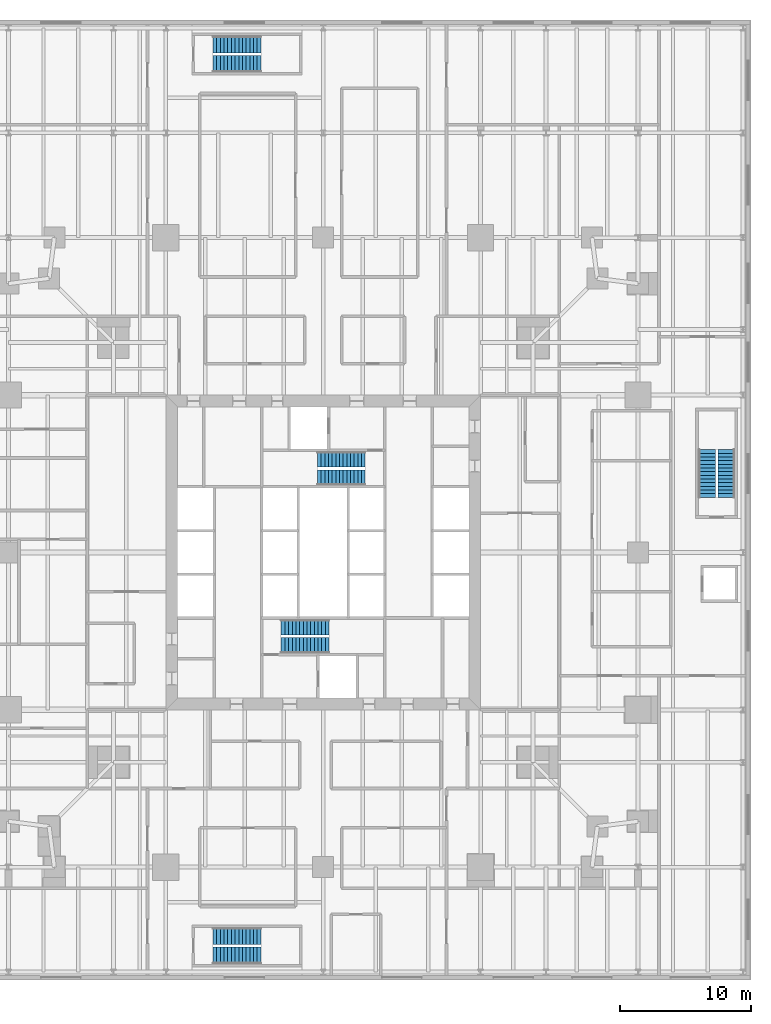
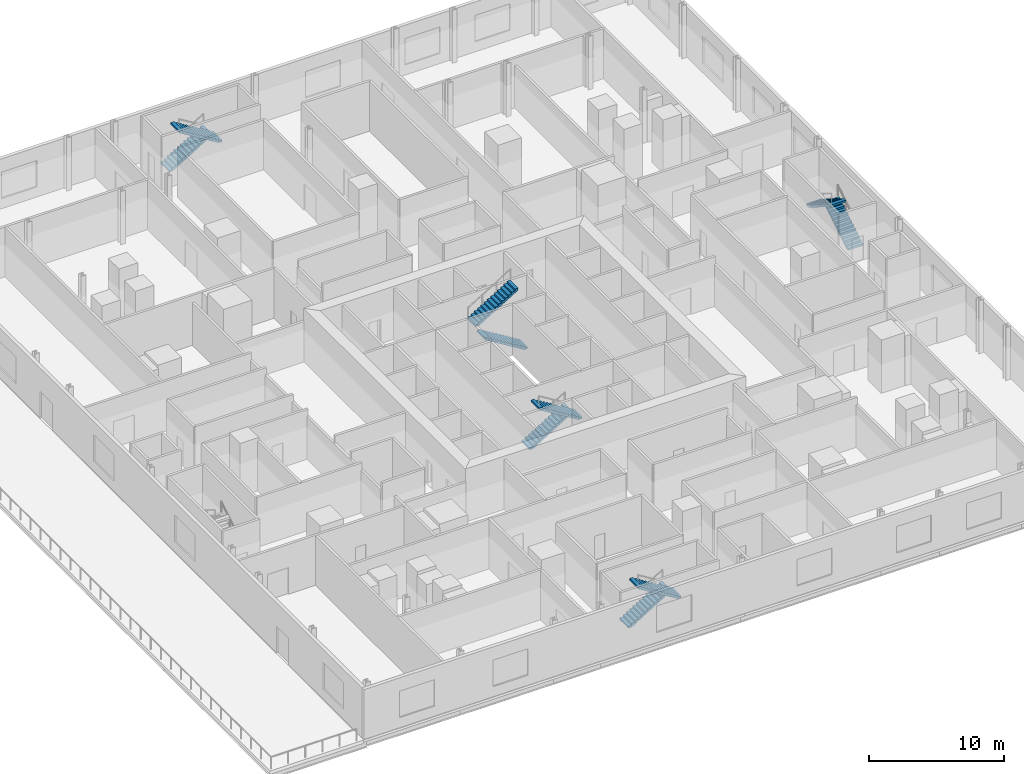
# One storey, part 15 of 17: 10 stair flights, 5 elements without a shape of their own.
"""IFC4 building model written with IfcOpenShell, lengths in metres."""

import ifcopenshell
import ifcopenshell.guid

model = None  # the IFC model being written
_history = None  # IfcOwnerHistory: only IFC2X3 demands one
_inside = {}  # id of a spatial element -> (the spatial element, [elements in it])
_under = {}  # id of a project, library or spatial element -> (it, [spatial elements below it])
_declared = {}  # id of a project -> (the project, [libraries it declares])
_typed = {}  # id of a type object -> (the type object, [elements of that type])
_made_of = {}  # id of a material, layer set ... -> (it, [elements and type objects made of it])


def new_model(schema):
    """Start an empty IFC model of exactly this schema.

    Asked for "IFC4X3", IfcOpenShell would pick the latest addendum, in which some entities
    have other attributes; the version numbers below select the first issue.
    IFC2X3 requires an IfcOwnerHistory on every rooted entity: one is made here for all.
    """
    global model, _history
    if schema == "IFC4X3":
        model = ifcopenshell.file(schema_version=(4, 3, 0, 0))
    else:
        model = ifcopenshell.file(schema=schema)
    _inside.clear()
    _under.clear()
    _declared.clear()
    _typed.clear()
    _made_of.clear()
    _history = None
    if model.schema == "IFC2X3":
        org = make("IfcOrganization", Name="unknown")
        user = make(
            "IfcPersonAndOrganization",
            ThePerson=make("IfcPerson", FamilyName="unknown"),
            TheOrganization=org,
        )
        app = make(
            "IfcApplication",
            ApplicationDeveloper=org,
            Version="unknown",
            ApplicationFullName="unknown",
            ApplicationIdentifier="unknown",
        )
        _history = make(
            "IfcOwnerHistory",
            OwningUser=user,
            OwningApplication=app,
            ChangeAction="ADDED",
            CreationDate=0,
        )
    return model


def make(cls, **values):
    """One entity of the class cls with the attributes given. An attribute that is None is left unset."""
    return model.create_entity(
        cls, **{name: value for name, value in values.items() if value is not None}
    )


def rooted(cls, **values):
    """An entity with a GlobalId (a new one), such as an element, a storey or a relation."""
    return make(cls, GlobalId=ifcopenshell.guid.new(), OwnerHistory=_history, **values)


def si_unit(unit_type, name, prefix=None):
    """IfcSIUnit, for example si_unit("LENGTHUNIT", "METRE", prefix="MILLI")."""
    return make("IfcSIUnit", UnitType=unit_type, Prefix=prefix, Name=name)


def assignment(units):
    """IfcUnitAssignment: the units of a project."""
    return None if units is None else make("IfcUnitAssignment", Units=units)


def point(xyz):
    """IfcCartesianPoint."""
    return None if xyz is None else make("IfcCartesianPoint", Coordinates=xyz)


def direction(xyz):
    """IfcDirection."""
    return None if xyz is None else make("IfcDirection", DirectionRatios=xyz)


def frame(location, z_axis=None, x_axis=None):
    """IfcAxis2Placement3D, a coordinate frame: its origin and axes. An axis left out is left unset."""
    return make(
        "IfcAxis2Placement3D",
        Location=point(location),
        Axis=direction(z_axis),
        RefDirection=direction(x_axis),
    )


def origin():
    """The frame at (0, 0, 0) with its axes left unset."""
    return frame((0.0, 0.0, 0.0))


def place(relative_to, where):
    """IfcLocalPlacement: puts the frame where relative to a parent placement (None: the world)."""
    return make(
        "IfcLocalPlacement", PlacementRelTo=relative_to, RelativePlacement=where
    )


def context(
    kind, dimensions, precision=None, world=None, true_north=None, identifier=None
):
    """IfcGeometricRepresentationContext, for example the 3D "Model" context."""
    return make(
        "IfcGeometricRepresentationContext",
        ContextIdentifier=identifier,
        ContextType=kind,
        CoordinateSpaceDimension=dimensions,
        Precision=precision,
        WorldCoordinateSystem=world,
        TrueNorth=true_north,
    )


def subcontext(parent, identifier, kind, view, scale=None):
    """IfcGeometricRepresentationSubContext, for example "Body" below "Model"."""
    return make(
        "IfcGeometricRepresentationSubContext",
        ContextIdentifier=identifier,
        ContextType=kind,
        ParentContext=parent,
        TargetScale=scale,
        TargetView=view,
    )


def project(units=None, contexts=None):
    """IfcProject with its units and contexts."""
    return rooted(
        "IfcProject",
        Name="project",
        RepresentationContexts=contexts,
        UnitsInContext=assignment(units),
    )


def spatial(cls, under=None, at=None, **own):
    """A site, building, storey or space (cls), placed at a placement, below another one or the project."""
    s = rooted(cls, ObjectPlacement=at, **own)
    if under is not None:
        _under.setdefault(under.id(), (under, []))[1].append(s)
    return s


def polyline(points):
    """IfcPolyline through the points."""
    return make("IfcPolyline", Points=[point(p) for p in points])


def outline(outer, holes=None, kind="AREA"):
    """IfcArbitraryClosedProfileDef: a profile drawn as a closed curve; with holes, ...WithVoids."""
    if holes is None:
        return make("IfcArbitraryClosedProfileDef", ProfileType=kind, OuterCurve=outer)
    return make(
        "IfcArbitraryProfileDefWithVoids",
        ProfileType=kind,
        OuterCurve=outer,
        InnerCurves=holes,
    )


def extrude(swept, where, along, depth):
    """IfcExtrudedAreaSolid: the profile swept, set in the frame where, extruded along a direction by depth."""
    return make(
        "IfcExtrudedAreaSolid",
        SweptArea=swept,
        Position=where,
        ExtrudedDirection=direction(along),
        Depth=depth,
    )


def shape(context_of_items, identifier, shape_type, items):
    """IfcShapeRepresentation: the items that make up one representation, for example the "Body"."""
    return make(
        "IfcShapeRepresentation",
        ContextOfItems=context_of_items,
        RepresentationIdentifier=identifier,
        RepresentationType=shape_type,
        Items=items,
    )


def material(Name=None, Category=None):
    """IfcMaterial."""
    return make("IfcMaterial", Name=Name, Category=Category)


def made_of(thing, what):
    """Note that an element or type object is made of a material, layer set ...; save() writes the relation."""
    if what is not None:
        _made_of.setdefault(what.id(), (what, []))[1].append(thing)
    return thing


def type_object(cls, material=None, **own):
    """A type object (cls), such as IfcWallType, which elements share."""
    return made_of(rooted(cls, **own), material)


def element(
    cls,
    number,
    at=None,
    inside=None,
    cuts=None,
    type_object=None,
    material=None,
    context=None,
    identifier="Body",
    shape_type=None,
    held_by="IfcProductDefinitionShape",
    body=None,
    shapes=None,
    **own,
):
    """One element of the class cls, such as IfcWall. Its Tag is "e" and its number.

    at: its placement. inside: the storey or other place that contains it. cuts: it is an
    opening in that element (IfcRelVoidsElement). A single representation is given by context,
    identifier, shape_type and body (its items); several are given by shapes. held_by: the class
    of the entity that holds the representations. save() writes the other relations.
    """
    e = rooted(cls, Tag="e%d" % number, ObjectPlacement=at, **own)
    if body is not None:
        shapes = [shape(context, identifier, shape_type, body)]
    if shapes is not None:
        e.Representation = make(held_by, Representations=shapes)
    if inside is not None:
        _inside.setdefault(inside.id(), (inside, []))[1].append(e)
    if cuts is not None:
        rooted(
            "IfcRelVoidsElement", RelatingBuildingElement=cuts, RelatedOpeningElement=e
        )
    if type_object is not None:
        _typed.setdefault(type_object.id(), (type_object, []))[1].append(e)
    return made_of(e, material)


def aggregate(whole, parts):
    """IfcRelAggregates: a whole, such as a stair, and the parts it consists of."""
    return rooted("IfcRelAggregates", RelatingObject=whole, RelatedObjects=parts)


def save(model, path):
    """Write the relations noted so far, then the file.

    IfcRelAggregates (storeys below a building ...), IfcRelContainedInSpatialStructure (elements
    in a storey), IfcRelDefinesByType, IfcRelAssociatesMaterial and IfcRelDeclares: one each for
    every whole, place, type object, material and project.
    """
    for whole, parts in _under.values():
        aggregate(whole, parts)
    for where, things in _inside.values():
        rooted(
            "IfcRelContainedInSpatialStructure",
            RelatedElements=things,
            RelatingStructure=where,
        )
    for kind, things in _typed.values():
        rooted("IfcRelDefinesByType", RelatedObjects=things, RelatingType=kind)
    for what, things in _made_of.values():
        rooted("IfcRelAssociatesMaterial", RelatedObjects=things, RelatingMaterial=what)
    for by, libraries in _declared.values():
        rooted("IfcRelDeclares", RelatingContext=by, RelatedDefinitions=libraries)
    model.write(path)


model = new_model("IFC4")

# Units and contexts
model_context = context("Model", 3, precision=1e-05, world=origin(), true_north=direction((0.0, 1.0)))
body_context = subcontext(model_context, "Body", "Model", "MODEL_VIEW")
ifc_project = project(units=[si_unit("LENGTHUNIT", "METRE"), si_unit("AREAUNIT", "SQUARE_METRE"), si_unit("VOLUMEUNIT", "CUBIC_METRE"), si_unit("PLANEANGLEUNIT", "RADIAN"), si_unit("MASSUNIT", "GRAM", prefix="KILO")], contexts=[model_context])

# Site, building, storey
site_placement = place(None, origin())
site = spatial("IfcSite", under=ifc_project, at=site_placement, CompositionType="ELEMENT")
building_placement = place(site_placement, origin())
building = spatial("IfcBuilding", under=site, at=building_placement, Name="Fenwick Lantern Interchange", CompositionType="ELEMENT")
storey_placement = place(building_placement, frame((0.0, 0.0, 21.39990234375)))
storey = spatial("IfcBuildingStorey", under=building, at=storey_placement, Name="L04", CompositionType="ELEMENT", Elevation=21.39990234375)

# Stair, stair flights
ifc_material = material(Name="Precast concrete f'c 35 MPa", Category="concrete")
stair_type_1 = type_object("IfcStairType", Name="EXIT STAIR 1200", PredefinedType="HALF_TURN_STAIR", material=ifc_material)
stair_1_placement = place(storey_placement, origin())
stair_1 = element("IfcStair", 1, at=stair_1_placement, inside=storey, type_object=stair_type_1, Name="Exit stair ST1", PredefinedType="HALF_TURN_STAIR")
stair_flight_type_1 = type_object("IfcStairFlightType", Name="STAIR FLIGHT 1200", PredefinedType="STRAIGHT", material=ifc_material)
stair_flight_1_placement = place(storey_placement, frame((21.800048828125, 19.300048828125, 0.0), z_axis=(0.0, 0.0, 1.0), x_axis=(1.0, 0.0, 0.0)))
stair_flight_1 = element("IfcStairFlight", 2, at=stair_flight_1_placement, type_object=stair_flight_type_1, Name="ST1 flight 1", NumberOfRisers=14, NumberOfTreads=13, PredefinedType="STRAIGHT", RiserHeight=0.171428571, TreadLength=0.28, context=body_context, shape_type="SweptSolid", body=[
    extrude(outline(polyline([(0.0, 0.0), (0.0, 0.17138671875), (0.280029296875, 0.17138671875), (0.280029296875, 0.3427734375), (0.56005859375, 0.3427734375), (0.56005859375, 0.514404296875), (0.840087890625, 0.514404296875), (0.840087890625, 0.685791015625), (1.1201171875, 0.685791015625), (1.1201171875, 0.857177734375), (1.39990234375, 0.857177734375), (1.39990234375, 1.028564453125), (1.679931640625, 1.028564453125), (1.679931640625, 1.199951171875), (1.9599609375, 1.199951171875), (1.9599609375, 1.371337890625), (2.239990234375, 1.371337890625), (2.239990234375, 1.54296875), (2.52001953125, 1.54296875), (2.52001953125, 1.71435546875), (2.800048828125, 1.71435546875), (2.800048828125, 1.8857421875), (3.080078125, 1.8857421875), (3.080078125, 2.05712890625), (3.360107421875, 2.05712890625), (3.360107421875, 2.228515625), (3.639892578125, 2.228515625), (3.639892578125, 2.39990234375), (3.639892578125, 2.052734375), (0.287109375, 0.0), (0.0, 0.0)])), frame((0.0, 0.60009765625, 0.0), z_axis=(0.0, -1.0, 0.0), x_axis=(1.0, 0.0, 0.0)), (0.0, 0.0, 1.0), 1.199951171875),
])
stair_flight_2_placement = place(storey_placement, frame((25.43994140625, 17.89990234375, 2.400146484375), z_axis=(0.0, 0.0, 1.0), x_axis=(-1.0, 0.0, 0.0)))
stair_flight_2 = element("IfcStairFlight", 3, at=stair_flight_2_placement, type_object=stair_flight_type_1, Name="ST1 flight 2", NumberOfRisers=14, NumberOfTreads=13, PredefinedType="STRAIGHT", RiserHeight=0.171428571, TreadLength=0.28, context=body_context, shape_type="SweptSolid", body=[
    extrude(outline(polyline([(0.0, 0.0), (0.0, 0.17138671875), (0.280029296875, 0.17138671875), (0.280029296875, 0.3427734375), (0.56005859375, 0.3427734375), (0.56005859375, 0.514404296875), (0.840087890625, 0.514404296875), (0.840087890625, 0.685791015625), (1.1201171875, 0.685791015625), (1.1201171875, 0.857177734375), (1.39990234375, 0.857177734375), (1.39990234375, 1.028564453125), (1.679931640625, 1.028564453125), (1.679931640625, 1.199951171875), (1.9599609375, 1.199951171875), (1.9599609375, 1.371337890625), (2.239990234375, 1.371337890625), (2.239990234375, 1.54296875), (2.52001953125, 1.54296875), (2.52001953125, 1.71435546875), (2.800048828125, 1.71435546875), (2.800048828125, 1.8857421875), (3.080078125, 1.8857421875), (3.080078125, 2.05712890625), (3.360107421875, 2.05712890625), (3.360107421875, 2.228515625), (3.639892578125, 2.228515625), (3.639892578125, 2.39990234375), (3.639892578125, 2.052734375), (0.287109375, 0.0), (0.0, 0.0)])), frame((0.0, 0.60009765625, 0.0), z_axis=(0.0, -1.0, 0.0), x_axis=(1.0, 0.0, 0.0)), (0.0, 0.0, 1.0), 1.199951171875),
])
aggregate(stair_1, [stair_flight_1, stair_flight_2])

stair_2_placement = place(storey_placement, origin())
stair_2 = element("IfcStair", 4, at=stair_2_placement, inside=storey, type_object=stair_type_1, Name="Exit stair ST2", PredefinedType="HALF_TURN_STAIR")
stair_flight_3_placement = place(storey_placement, frame((28.199951171875, 30.699951171875, 0.0), z_axis=(0.0, 0.0, 1.0), x_axis=(-1.0, 0.0, 0.0)))
stair_flight_3 = element("IfcStairFlight", 5, at=stair_flight_3_placement, type_object=stair_flight_type_1, Name="ST2 flight 1", NumberOfRisers=14, NumberOfTreads=13, PredefinedType="STRAIGHT", RiserHeight=0.171428571, TreadLength=0.28, context=body_context, shape_type="SweptSolid", body=[
    extrude(outline(polyline([(0.0, 0.0), (0.0, 0.17138671875), (0.280029296875, 0.17138671875), (0.280029296875, 0.3427734375), (0.56005859375, 0.3427734375), (0.56005859375, 0.514404296875), (0.840087890625, 0.514404296875), (0.840087890625, 0.685791015625), (1.1201171875, 0.685791015625), (1.1201171875, 0.857177734375), (1.39990234375, 0.857177734375), (1.39990234375, 1.028564453125), (1.679931640625, 1.028564453125), (1.679931640625, 1.199951171875), (1.9599609375, 1.199951171875), (1.9599609375, 1.371337890625), (2.239990234375, 1.371337890625), (2.239990234375, 1.54296875), (2.52001953125, 1.54296875), (2.52001953125, 1.71435546875), (2.800048828125, 1.71435546875), (2.800048828125, 1.8857421875), (3.080078125, 1.8857421875), (3.080078125, 2.05712890625), (3.360107421875, 2.05712890625), (3.360107421875, 2.228515625), (3.639892578125, 2.228515625), (3.639892578125, 2.39990234375), (3.639892578125, 2.052734375), (0.287109375, 0.0), (0.0, 0.0)])), frame((0.0, 0.60009765625, 0.0), z_axis=(0.0, -1.0, 0.0), x_axis=(1.0, 0.0, 0.0)), (0.0, 0.0, 1.0), 1.199951171875),
])
stair_flight_4_placement = place(storey_placement, frame((24.56005859375, 32.10009765625, 2.400146484375), z_axis=(0.0, 0.0, 1.0), x_axis=(1.0, 0.0, 0.0)))
stair_flight_4 = element("IfcStairFlight", 6, at=stair_flight_4_placement, type_object=stair_flight_type_1, Name="ST2 flight 2", NumberOfRisers=14, NumberOfTreads=13, PredefinedType="STRAIGHT", RiserHeight=0.171428571, TreadLength=0.28, context=body_context, shape_type="SweptSolid", body=[
    extrude(outline(polyline([(0.0, 0.0), (0.0, 0.17138671875), (0.280029296875, 0.17138671875), (0.280029296875, 0.3427734375), (0.56005859375, 0.3427734375), (0.56005859375, 0.514404296875), (0.840087890625, 0.514404296875), (0.840087890625, 0.685791015625), (1.1201171875, 0.685791015625), (1.1201171875, 0.857177734375), (1.39990234375, 0.857177734375), (1.39990234375, 1.028564453125), (1.679931640625, 1.028564453125), (1.679931640625, 1.199951171875), (1.9599609375, 1.199951171875), (1.9599609375, 1.371337890625), (2.239990234375, 1.371337890625), (2.239990234375, 1.54296875), (2.52001953125, 1.54296875), (2.52001953125, 1.71435546875), (2.800048828125, 1.71435546875), (2.800048828125, 1.8857421875), (3.080078125, 1.8857421875), (3.080078125, 2.05712890625), (3.360107421875, 2.05712890625), (3.360107421875, 2.228515625), (3.639892578125, 2.228515625), (3.639892578125, 2.39990234375), (3.639892578125, 2.052734375), (0.287109375, 0.0), (0.0, 0.0)])), frame((0.0, 0.60009765625, 0.0), z_axis=(0.0, -1.0, 0.0), x_axis=(1.0, 0.0, 0.0)), (0.0, 0.0, 1.0), 1.199951171875),
])
aggregate(stair_2, [stair_flight_3, stair_flight_4])

stair_type_2 = type_object("IfcStairType", Name="EXIT STAIR 1300", PredefinedType="HALF_TURN_STAIR", material=ifc_material)
stair_3_placement = place(storey_placement, origin())
stair_3 = element("IfcStair", 7, at=stair_3_placement, inside=storey, type_object=stair_type_2, Name="Exit stair PS1", PredefinedType="HALF_TURN_STAIR")
stair_flight_type_2 = type_object("IfcStairFlightType", Name="STAIR FLIGHT 1300", PredefinedType="STRAIGHT", material=ifc_material)
stair_flight_5_placement = place(storey_placement, frame((16.60009765625, 63.75, 0.0), z_axis=(0.0, 0.0, 1.0), x_axis=(1.0, 0.0, 0.0)))
stair_flight_5 = element("IfcStairFlight", 8, at=stair_flight_5_placement, type_object=stair_flight_type_2, Name="PS1 flight 1", NumberOfRisers=14, NumberOfTreads=13, PredefinedType="STRAIGHT", RiserHeight=0.171428571, TreadLength=0.28, context=body_context, shape_type="SweptSolid", body=[
    extrude(outline(polyline([(0.0, 0.0), (0.0, 0.17138671875), (0.280029296875, 0.17138671875), (0.280029296875, 0.3427734375), (0.56005859375, 0.3427734375), (0.56005859375, 0.514404296875), (0.840087890625, 0.514404296875), (0.840087890625, 0.685791015625), (1.1201171875, 0.685791015625), (1.1201171875, 0.857177734375), (1.39990234375, 0.857177734375), (1.39990234375, 1.028564453125), (1.679931640625, 1.028564453125), (1.679931640625, 1.199951171875), (1.9599609375, 1.199951171875), (1.9599609375, 1.371337890625), (2.239990234375, 1.371337890625), (2.239990234375, 1.54296875), (2.52001953125, 1.54296875), (2.52001953125, 1.71435546875), (2.800048828125, 1.71435546875), (2.800048828125, 1.8857421875), (3.080078125, 1.8857421875), (3.080078125, 2.05712890625), (3.360107421875, 2.05712890625), (3.360107421875, 2.228515625), (3.639892578125, 2.228515625), (3.639892578125, 2.39990234375), (3.639892578125, 2.052734375), (0.287109375, 0.0), (0.0, 0.0)])), frame((0.0, 0.64990234375, 0.0), z_axis=(0.0, -1.0, 0.0), x_axis=(1.0, 0.0, 0.0)), (0.0, 0.0, 1.0), 1.300048828125),
])
stair_flight_6_placement = place(storey_placement, frame((20.239990234375, 62.25, 2.400146484375), z_axis=(0.0, 0.0, 1.0), x_axis=(-1.0, 0.0, 0.0)))
stair_flight_6 = element("IfcStairFlight", 9, at=stair_flight_6_placement, type_object=stair_flight_type_2, Name="PS1 flight 2", NumberOfRisers=14, NumberOfTreads=13, PredefinedType="STRAIGHT", RiserHeight=0.171428571, TreadLength=0.28, context=body_context, shape_type="SweptSolid", body=[
    extrude(outline(polyline([(0.0, 0.0), (0.0, 0.17138671875), (0.280029296875, 0.17138671875), (0.280029296875, 0.3427734375), (0.56005859375, 0.3427734375), (0.56005859375, 0.514404296875), (0.840087890625, 0.514404296875), (0.840087890625, 0.685791015625), (1.1201171875, 0.685791015625), (1.1201171875, 0.857177734375), (1.39990234375, 0.857177734375), (1.39990234375, 1.028564453125), (1.679931640625, 1.028564453125), (1.679931640625, 1.199951171875), (1.9599609375, 1.199951171875), (1.9599609375, 1.371337890625), (2.239990234375, 1.371337890625), (2.239990234375, 1.54296875), (2.52001953125, 1.54296875), (2.52001953125, 1.71435546875), (2.800048828125, 1.71435546875), (2.800048828125, 1.8857421875), (3.080078125, 1.8857421875), (3.080078125, 2.05712890625), (3.360107421875, 2.05712890625), (3.360107421875, 2.228515625), (3.639892578125, 2.228515625), (3.639892578125, 2.39990234375), (3.639892578125, 2.052734375), (0.287109375, 0.0), (0.0, 0.0)])), frame((0.0, 0.64990234375, 0.0), z_axis=(0.0, -1.0, 0.0), x_axis=(1.0, 0.0, 0.0)), (0.0, 0.0, 1.0), 1.300048828125),
])
aggregate(stair_3, [stair_flight_5, stair_flight_6])

stair_4_placement = place(storey_placement, origin())
stair_4 = element("IfcStair", 10, at=stair_4_placement, inside=storey, type_object=stair_type_2, Name="Exit stair PS2", PredefinedType="HALF_TURN_STAIR")
stair_flight_7_placement = place(storey_placement, frame((16.60009765625, -4.25, 0.0), z_axis=(0.0, 0.0, 1.0), x_axis=(1.0, 0.0, 0.0)))
stair_flight_7 = element("IfcStairFlight", 11, at=stair_flight_7_placement, type_object=stair_flight_type_2, Name="PS2 flight 1", NumberOfRisers=14, NumberOfTreads=13, PredefinedType="STRAIGHT", RiserHeight=0.171428571, TreadLength=0.28, context=body_context, shape_type="SweptSolid", body=[
    extrude(outline(polyline([(0.0, 0.0), (0.0, 0.17138671875), (0.280029296875, 0.17138671875), (0.280029296875, 0.3427734375), (0.56005859375, 0.3427734375), (0.56005859375, 0.514404296875), (0.840087890625, 0.514404296875), (0.840087890625, 0.685791015625), (1.1201171875, 0.685791015625), (1.1201171875, 0.857177734375), (1.39990234375, 0.857177734375), (1.39990234375, 1.028564453125), (1.679931640625, 1.028564453125), (1.679931640625, 1.199951171875), (1.9599609375, 1.199951171875), (1.9599609375, 1.371337890625), (2.239990234375, 1.371337890625), (2.239990234375, 1.54296875), (2.52001953125, 1.54296875), (2.52001953125, 1.71435546875), (2.800048828125, 1.71435546875), (2.800048828125, 1.8857421875), (3.080078125, 1.8857421875), (3.080078125, 2.05712890625), (3.360107421875, 2.05712890625), (3.360107421875, 2.228515625), (3.639892578125, 2.228515625), (3.639892578125, 2.39990234375), (3.639892578125, 2.052734375), (0.287109375, 0.0), (0.0, 0.0)])), frame((0.0, 0.64990234375, 0.0), z_axis=(0.0, -1.0, 0.0), x_axis=(1.0, 0.0, 0.0)), (0.0, 0.0, 1.0), 1.300048828125),
])
stair_flight_8_placement = place(storey_placement, frame((20.239990234375, -5.75, 2.400146484375), z_axis=(0.0, 0.0, 1.0), x_axis=(-1.0, 0.0, 0.0)))
stair_flight_8 = element("IfcStairFlight", 12, at=stair_flight_8_placement, type_object=stair_flight_type_2, Name="PS2 flight 2", NumberOfRisers=14, NumberOfTreads=13, PredefinedType="STRAIGHT", RiserHeight=0.171428571, TreadLength=0.28, context=body_context, shape_type="SweptSolid", body=[
    extrude(outline(polyline([(0.0, 0.0), (0.0, 0.17138671875), (0.280029296875, 0.17138671875), (0.280029296875, 0.3427734375), (0.56005859375, 0.3427734375), (0.56005859375, 0.514404296875), (0.840087890625, 0.514404296875), (0.840087890625, 0.685791015625), (1.1201171875, 0.685791015625), (1.1201171875, 0.857177734375), (1.39990234375, 0.857177734375), (1.39990234375, 1.028564453125), (1.679931640625, 1.028564453125), (1.679931640625, 1.199951171875), (1.9599609375, 1.199951171875), (1.9599609375, 1.371337890625), (2.239990234375, 1.371337890625), (2.239990234375, 1.54296875), (2.52001953125, 1.54296875), (2.52001953125, 1.71435546875), (2.800048828125, 1.71435546875), (2.800048828125, 1.8857421875), (3.080078125, 1.8857421875), (3.080078125, 2.05712890625), (3.360107421875, 2.05712890625), (3.360107421875, 2.228515625), (3.639892578125, 2.228515625), (3.639892578125, 2.39990234375), (3.639892578125, 2.052734375), (0.287109375, 0.0), (0.0, 0.0)])), frame((0.0, 0.64990234375, 0.0), z_axis=(0.0, -1.0, 0.0), x_axis=(1.0, 0.0, 0.0)), (0.0, 0.0, 1.0), 1.300048828125),
])
aggregate(stair_4, [stair_flight_7, stair_flight_8])

stair_5_placement = place(storey_placement, origin())
stair_5 = element("IfcStair", 13, at=stair_5_placement, inside=storey, type_object=stair_type_2, Name="Exit stair PS4", PredefinedType="HALF_TURN_STAIR")
stair_flight_9_placement = place(storey_placement, frame((55.75, 29.199951171875, 0.0), z_axis=(0.0, 0.0, 1.0), x_axis=(0.0, 1.0, 0.0)))
stair_flight_9 = element("IfcStairFlight", 14, at=stair_flight_9_placement, type_object=stair_flight_type_2, Name="PS4 flight 1", NumberOfRisers=14, NumberOfTreads=13, PredefinedType="STRAIGHT", RiserHeight=0.171428571, TreadLength=0.28, context=body_context, shape_type="SweptSolid", body=[
    extrude(outline(polyline([(0.0, 0.0), (0.0, 0.17138671875), (0.280029296875, 0.17138671875), (0.280029296875, 0.3427734375), (0.56005859375, 0.3427734375), (0.56005859375, 0.514404296875), (0.840087890625, 0.514404296875), (0.840087890625, 0.685791015625), (1.1201171875, 0.685791015625), (1.1201171875, 0.857177734375), (1.39990234375, 0.857177734375), (1.39990234375, 1.028564453125), (1.679931640625, 1.028564453125), (1.679931640625, 1.199951171875), (1.9599609375, 1.199951171875), (1.9599609375, 1.371337890625), (2.239990234375, 1.371337890625), (2.239990234375, 1.54296875), (2.52001953125, 1.54296875), (2.52001953125, 1.71435546875), (2.800048828125, 1.71435546875), (2.800048828125, 1.8857421875), (3.080078125, 1.8857421875), (3.080078125, 2.05712890625), (3.360107421875, 2.05712890625), (3.360107421875, 2.228515625), (3.639892578125, 2.228515625), (3.639892578125, 2.39990234375), (3.639892578125, 2.052734375), (0.287109375, 0.0), (0.0, 0.0)])), frame((0.0, 0.64990234375, 0.0), z_axis=(0.0, -1.0, 0.0), x_axis=(1.0, 0.0, 0.0)), (0.0, 0.0, 1.0), 1.300048828125),
])
stair_flight_10_placement = place(storey_placement, frame((54.25, 32.840087890625, 2.400146484375), z_axis=(0.0, 0.0, 1.0), x_axis=(0.0, -1.0, 0.0)))
stair_flight_10 = element("IfcStairFlight", 15, at=stair_flight_10_placement, type_object=stair_flight_type_2, Name="PS4 flight 2", NumberOfRisers=14, NumberOfTreads=13, PredefinedType="STRAIGHT", RiserHeight=0.171428571, TreadLength=0.28, context=body_context, shape_type="SweptSolid", body=[
    extrude(outline(polyline([(0.0, 0.0), (0.0, 0.17138671875), (0.280029296875, 0.17138671875), (0.280029296875, 0.3427734375), (0.56005859375, 0.3427734375), (0.56005859375, 0.514404296875), (0.840087890625, 0.514404296875), (0.840087890625, 0.685791015625), (1.1201171875, 0.685791015625), (1.1201171875, 0.857177734375), (1.39990234375, 0.857177734375), (1.39990234375, 1.028564453125), (1.679931640625, 1.028564453125), (1.679931640625, 1.199951171875), (1.9599609375, 1.199951171875), (1.9599609375, 1.371337890625), (2.239990234375, 1.371337890625), (2.239990234375, 1.54296875), (2.52001953125, 1.54296875), (2.52001953125, 1.71435546875), (2.800048828125, 1.71435546875), (2.800048828125, 1.8857421875), (3.080078125, 1.8857421875), (3.080078125, 2.05712890625), (3.360107421875, 2.05712890625), (3.360107421875, 2.228515625), (3.639892578125, 2.228515625), (3.639892578125, 2.39990234375), (3.639892578125, 2.052734375), (0.287109375, 0.0), (0.0, 0.0)])), frame((0.0, 0.64990234375, 0.0), z_axis=(0.0, -1.0, 0.0), x_axis=(1.0, 0.0, 0.0)), (0.0, 0.0, 1.0), 1.300048828125),
])
aggregate(stair_5, [stair_flight_9, stair_flight_10])

save(model, "model.ifc")
